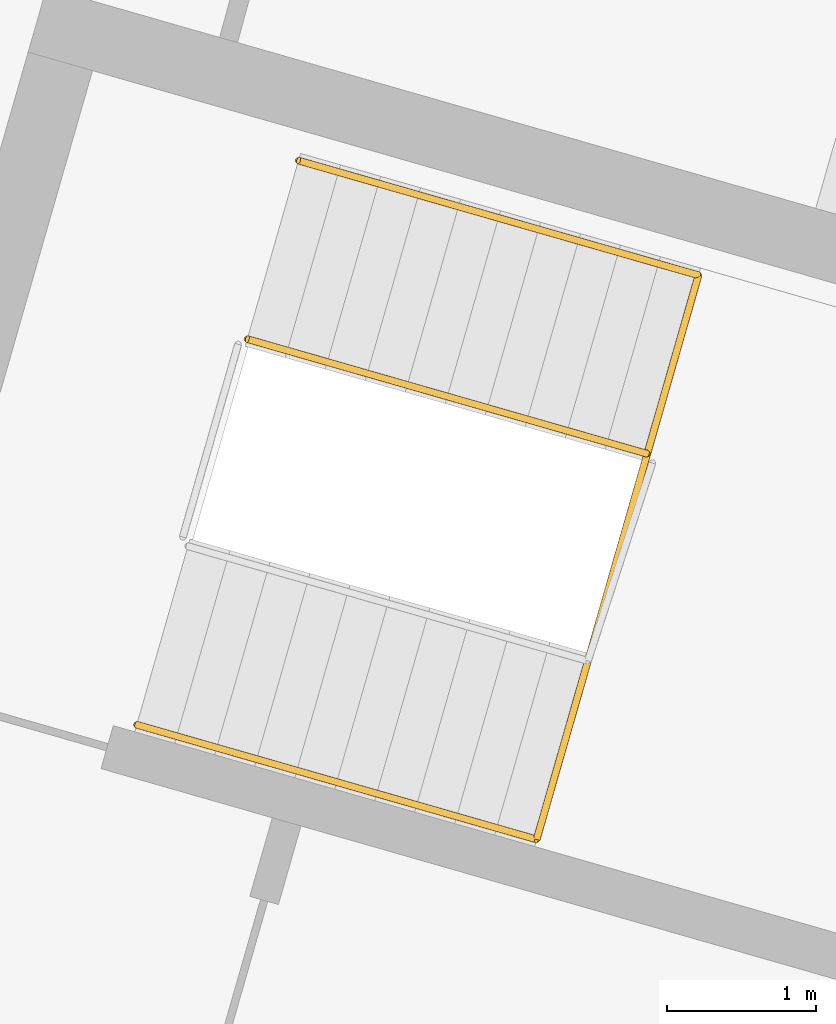
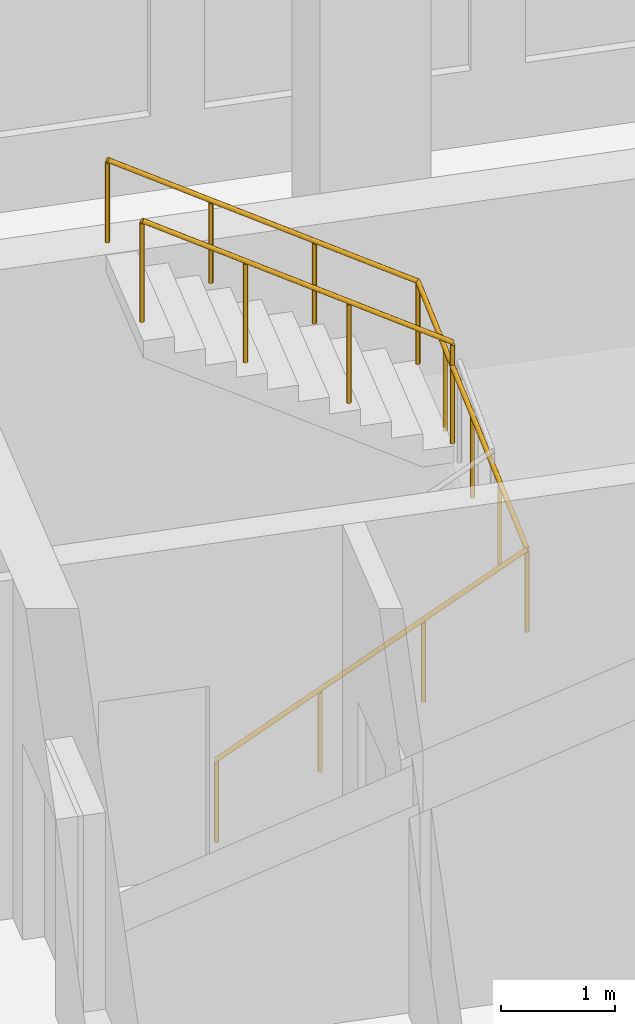
# One storey, part 11 of 12: 2 railings.
"""IFC4 building model written with IfcOpenShell, lengths in metres."""

from ifc_helpers import new_model, si_unit, direction, frame, origin, origin_2d, place, context, subcontext, project, spatial, circle, extrude, material, type_object, element, save


model = new_model("IFC4")

# Units and contexts
model_context = context("Model", 3, precision=1e-05, world=origin(), true_north=direction((0.0, 1.0)))
body_context = subcontext(model_context, "Body", "Model", "MODEL_VIEW")
ifc_project = project(units=[si_unit("LENGTHUNIT", "METRE"), si_unit("AREAUNIT", "SQUARE_METRE"), si_unit("VOLUMEUNIT", "CUBIC_METRE"), si_unit("PLANEANGLEUNIT", "RADIAN"), si_unit("MASSUNIT", "GRAM", prefix="KILO")], contexts=[model_context])

# Site, building, storey
site_placement = place(None, origin())
site = spatial("IfcSite", under=ifc_project, at=site_placement, CompositionType="ELEMENT")
building_placement = place(site_placement, origin())
building = spatial("IfcBuilding", under=site, at=building_placement, Name="Binnacle Exchange Tower", CompositionType="ELEMENT")
storey_placement = place(building_placement, frame((0.0, 0.0, 211.39990234375)))
storey = spatial("IfcBuildingStorey", under=building, at=storey_placement, Name="L46", CompositionType="ELEMENT", Elevation=211.39990234375)

# Railings
ifc_material_1 = material(Name="Steel guard rail", Category="steel")
railing_type_1 = type_object("IfcRailingType", Name="STAIR GUARD 1100", PredefinedType="GUARDRAIL", material=ifc_material_1)
railing_1_placement = place(storey_placement, frame((24.177734375, 57.332275390625, 2.12744140625)))
element("IfcRailing", 1, at=railing_1_placement, inside=storey, type_object=railing_type_1, Name="L46 STD1 stair guard 2", PredefinedType="GUARDRAIL", context=body_context, shape_type="SweptSolid", body=[
    extrude(circle(Radius=0.02392578125, at=origin_2d()), frame((0.0, 0.0, 1.076171875), z_axis=(-0.81215085225, 0.232948203448, 0.534926282491), x_axis=(-0.275711388614, -0.96124046429, 0.0)), (0.0, 0.0, 1.0), 3.31396484375),
    extrude(circle(Radius=0.02099609375, at=origin_2d()), origin(), (0.0, 0.0, 1.0), 1.052001953125),
    extrude(circle(Radius=0.02099609375, at=origin_2d()), frame((-0.897216796875, 0.25732421875, 0.5908203125)), (0.0, 0.0, 1.0), 1.052001953125),
    extrude(circle(Radius=0.02099609375, at=origin_2d()), frame((-1.794189453125, 0.5146484375, 1.181884765625)), (0.0, 0.0, 1.0), 1.052001953125),
    extrude(circle(Radius=0.02099609375, at=origin_2d()), frame((-2.69140625, 0.77197265625, 1.772705078125)), (0.0, 0.0, 1.0), 1.052001953125),
])
ifc_material_2 = material(Name="Steel handrail", Category="steel")
railing_type_2 = type_object("IfcRailingType", Name="STAIR HANDRAIL 900", PredefinedType="HANDRAIL", material=ifc_material_2)
railing_2_placement = place(storey_placement, frame((20.7421875, 55.5087890625, 0.177490234375)))
element("IfcRailing", 2, at=railing_2_placement, inside=storey, type_object=railing_type_2, Name="L46 STD1 stair handrail 1", PredefinedType="HANDRAIL", context=body_context, shape_type="SweptSolid", body=[
    extrude(circle(Radius=0.02392578125, at=origin_2d()), frame((0.0, 0.0, 0.8759765625), z_axis=(0.812164788183, -0.232878528252, 0.534935461448), x_axis=(0.275630818758, 0.961263570386, 0.0)), (0.0, 0.0, 1.0), 3.31396484375),
    extrude(circle(Radius=0.02392578125, at=origin_2d()), frame((2.69140625, -0.771728515625, 2.6484375), z_axis=(0.275390828663, 0.960286584611, 0.044828193186), x_axis=(-0.961252921364, 0.275667954558, 0.0)), (0.0, 0.0, 1.0), 3.953857421875),
    extrude(circle(Radius=0.02392578125, at=origin_2d()), frame((3.7802734375, 3.025146484375, 2.82568359375), z_axis=(-0.812189863168, 0.232864594782, 0.534903455461), x_axis=(-0.27560771734, -0.96127019414, 0.0)), (0.0, 0.0, 1.0), 3.31396484375),
    extrude(circle(Radius=0.02099609375, at=origin_2d()), origin(), (0.0, 0.0, 1.0), 0.851806640625),
    extrude(circle(Radius=0.02099609375, at=origin_2d()), frame((0.897216796875, -0.25732421875, 0.5908203125)), (0.0, 0.0, 1.0), 0.851806640625),
    extrude(circle(Radius=0.02099609375, at=origin_2d()), frame((1.794189453125, -0.514404296875, 1.181884765625)), (0.0, 0.0, 1.0), 0.851806640625),
    extrude(circle(Radius=0.02099609375, at=origin_2d()), frame((2.69140625, -0.771728515625, 1.772705078125)), (0.0, 0.0, 1.0), 0.851806640625),
    extrude(circle(Radius=0.02099609375, at=origin_2d()), frame((2.963623046875, 0.177490234375, 1.81689453125)), (0.0, 0.0, 1.0), 0.851806640625),
    extrude(circle(Radius=0.02099609375, at=origin_2d()), frame((3.23583984375, 1.126708984375, 1.861328125)), (0.0, 0.0, 1.0), 0.851806640625),
    extrude(circle(Radius=0.02099609375, at=origin_2d()), frame((3.508056640625, 2.075927734375, 1.90576171875)), (0.0, 0.0, 1.0), 0.851806640625),
    extrude(circle(Radius=0.02099609375, at=origin_2d()), frame((3.7802734375, 3.025146484375, 1.949951171875)), (0.0, 0.0, 1.0), 0.851806640625),
    extrude(circle(Radius=0.02099609375, at=origin_2d()), frame((2.883056640625, 3.282470703125, 2.540771484375)), (0.0, 0.0, 1.0), 0.851806640625),
    extrude(circle(Radius=0.02099609375, at=origin_2d()), frame((1.98583984375, 3.53955078125, 3.1318359375)), (0.0, 0.0, 1.0), 0.851806640625),
    extrude(circle(Radius=0.02099609375, at=origin_2d()), frame((1.088623046875, 3.796875, 3.72265625)), (0.0, 0.0, 1.0), 0.851806640625),
])

save(model, "model.ifc")
